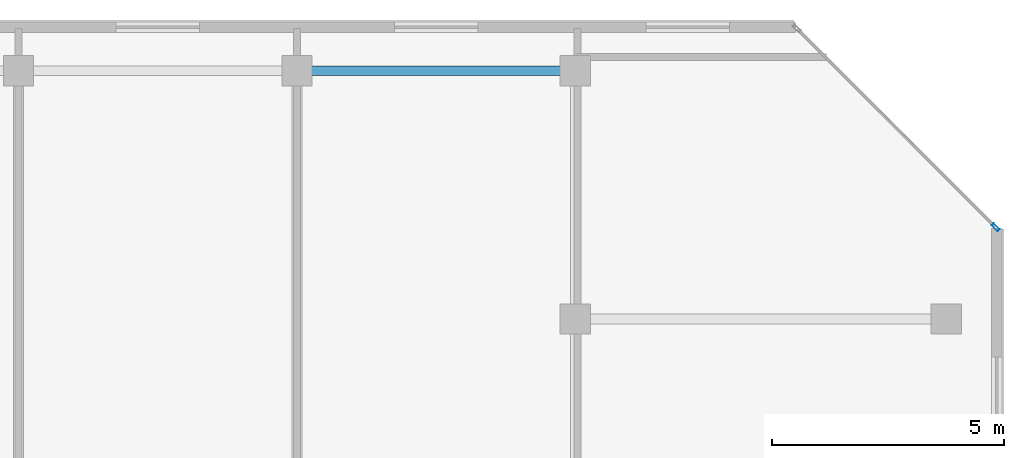
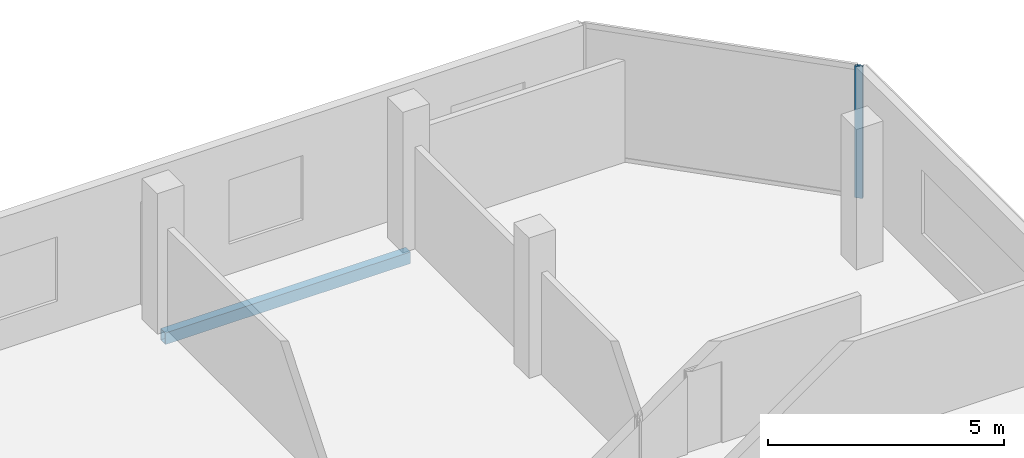
# One storey, part 18 of 28: 1 beam, 1 member, 1 element without a shape of its own.
"""IFC4 building model written with IfcOpenShell, lengths in metres."""

from ifc_helpers import new_model, si_unit, direction, frame, origin, origin_2d, place, context, subcontext, project, spatial, hollow_rectangle, extrude, material, layer, layer_set, material_profile, profile_set, type_object, element, aggregate, save


model = new_model("IFC4")

# Units and contexts
model_context = context("Model", 3, precision=1e-05, world=origin(), true_north=direction((0.0, 1.0)))
body_context = subcontext(model_context, "Body", "Model", "MODEL_VIEW")
ifc_project = project(units=[si_unit("LENGTHUNIT", "METRE"), si_unit("AREAUNIT", "SQUARE_METRE"), si_unit("VOLUMEUNIT", "CUBIC_METRE"), si_unit("PLANEANGLEUNIT", "RADIAN"), si_unit("MASSUNIT", "GRAM", prefix="KILO")], contexts=[model_context])

# Site, building, storey
site_placement = place(None, origin())
site = spatial("IfcSite", under=ifc_project, at=site_placement, CompositionType="ELEMENT")
building_placement = place(site_placement, origin())
building = spatial("IfcBuilding", under=site, at=building_placement, Name="Tanjung Sevakor Pilgrim Tower", CompositionType="ELEMENT")
storey_placement = place(building_placement, frame((0.0, 0.0, 249.81005859375)))
storey = spatial("IfcBuildingStorey", under=building, at=storey_placement, Name="L70", CompositionType="ELEMENT", Elevation=249.81005859375)

# Beam
ifc_material_1 = material(Name="Steel S355J2", Category="steel")
ifc_material_profile_1 = material_profile(ifc_material_1, hollow_rectangle(XDim=0.199951171875, YDim=0.300048828125, WallThickness=0.012451171875, at=origin_2d()))
ifc_profile_set_1 = profile_set([ifc_material_profile_1], Name="Steel S355J2")
beam_type = type_object("IfcBeamType", Name="BM-B-SP3-RHS_300x200x12.5", PredefinedType="SPANDREL", material=ifc_profile_set_1)
beam_placement = place(storey_placement, frame((84.0, 53.949951171875, -0.3701171875), z_axis=(1.0, 0.0, 0.0), x_axis=(0.0, 1.0, 0.0)))
element("IfcBeam", 1, at=beam_placement, inside=storey, type_object=beam_type, Name="L70 Spandrel EAST N-06", PredefinedType="SPANDREL", context=body_context, shape_type="SweptSolid", body=[
    extrude(hollow_rectangle(XDim=0.199951171875, YDim=0.300048828125, WallThickness=0.012451171875, at=origin_2d()), origin(), (0.0, 0.0, 1.0), 6.0),
])

# Curtain wall, member
ifc_material_2 = material(Name="Aluminium 6063-T6 and Low-E Glass", Category="aluminium")
ifc_layer = layer(ifc_material_2, 0.179931640625)
ifc_layer_set = layer_set([ifc_layer], Name="CW-SYS-CHAM")
curtain_wall_type = type_object("IfcCurtainWallType", Name="CW-SYS-CHAM", PredefinedType="NOTDEFINED", material=ifc_layer_set)
curtain_wall_placement = place(storey_placement, origin())
curtain_wall = element("IfcCurtainWall", 2, at=curtain_wall_placement, inside=storey, type_object=curtain_wall_type, Name="L70 Curtain Wall CW-CHM-L70-EAST-3", PredefinedType="NOTDEFINED")
ifc_material_3 = material(Name="Aluminium 6063-T6", Category="aluminium")
ifc_material_profile_2 = material_profile(ifc_material_3, hollow_rectangle(XDim=0.06494140625, YDim=0.179931640625, WallThickness=0.00390625, at=origin_2d()))
ifc_profile_set_2 = profile_set([ifc_material_profile_2], Name="Aluminium 6063-T6")
member_type = type_object("IfcMemberType", Name="TYPE-CWM-1", PredefinedType="MULLION", material=ifc_profile_set_2)
member_placement = place(storey_placement, frame((99.067138671875, 50.577392578125, 0.0), z_axis=(0.0, 0.0, 1.0), x_axis=(-0.707106781187, -0.707106781187, 0.0)))
member = element("IfcMember", 3, at=member_placement, type_object=member_type, Name="CW-CHM mullion 1", PredefinedType="MULLION", context=body_context, shape_type="SweptSolid", body=[
    extrude(hollow_rectangle(XDim=0.06494140625, YDim=0.179931640625, WallThickness=0.00390625, at=origin_2d()), origin(), (0.0, 0.0, 1.0), 3.409912109375),
])
aggregate(curtain_wall, [member])

save(model, "model.ifc")
